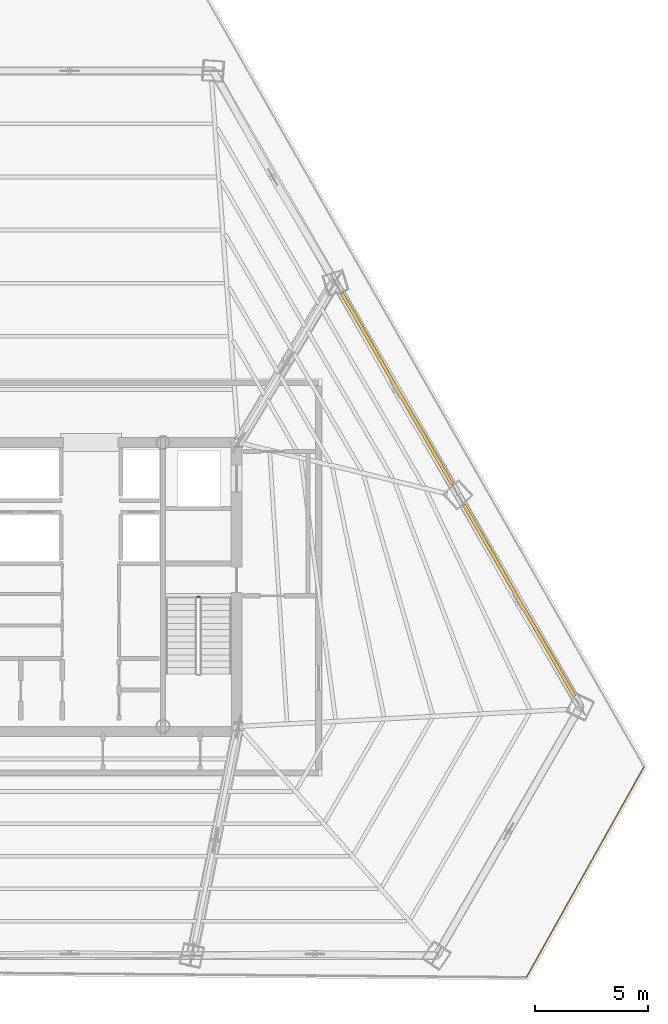
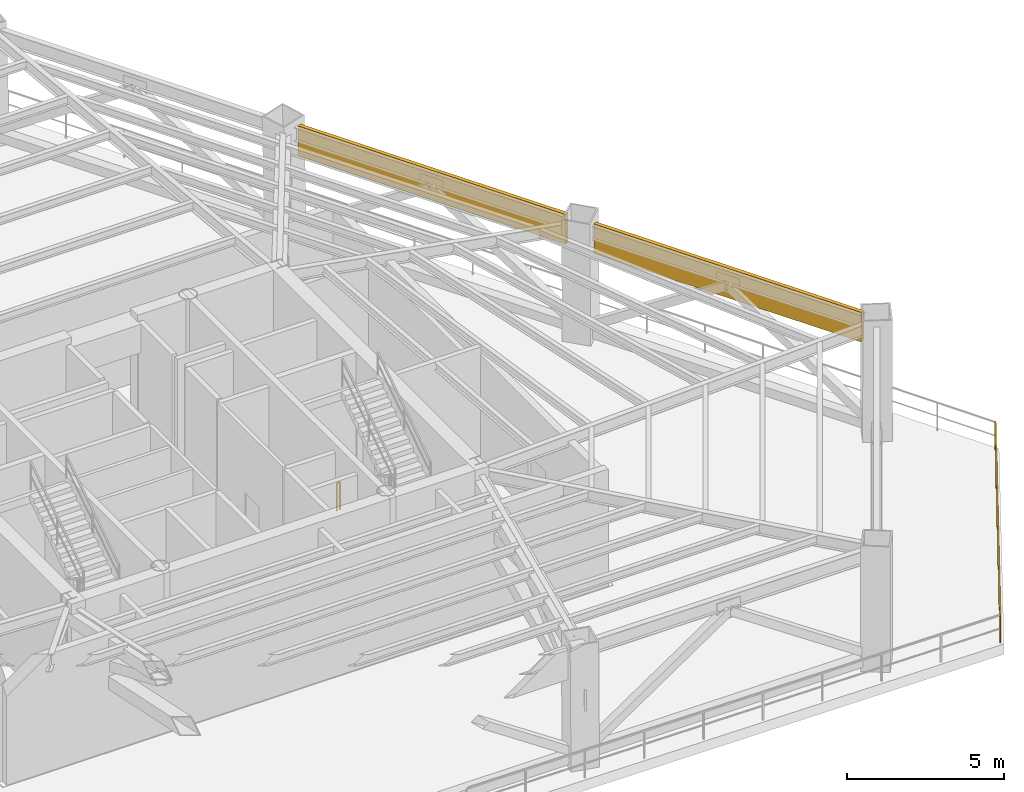
# One storey, part 11 of 12: 2 railings, 2 shading devices.
"""IFC4 building model written with IfcOpenShell, lengths in metres."""

from ifc_helpers import new_model, si_unit, direction, frame, origin, origin_2d, place, context, subcontext, project, spatial, rectangle, extrude, source, transform, mapped, material, layer, layer_set, type_object, type_shapes, element, save


model = new_model("IFC4")

# Units and contexts
model_context = context("Model", 3, precision=1e-05, world=origin(), true_north=direction((0.0, 1.0)))
body_context = subcontext(model_context, "Body", "Model", "MODEL_VIEW")
ifc_project = project(units=[si_unit("LENGTHUNIT", "METRE"), si_unit("AREAUNIT", "SQUARE_METRE"), si_unit("VOLUMEUNIT", "CUBIC_METRE"), si_unit("PLANEANGLEUNIT", "RADIAN"), si_unit("MASSUNIT", "GRAM", prefix="KILO")], contexts=[model_context])

# Site, building, storey
site_placement = place(None, origin())
site = spatial("IfcSite", under=ifc_project, at=site_placement, CompositionType="ELEMENT")
building_placement = place(site_placement, origin())
building = spatial("IfcBuilding", under=site, at=building_placement, Name="Caelisora Broadcast Tower", CompositionType="ELEMENT")
storey_placement = place(building_placement, frame((0.0, 0.0, 150.050048828125)))
storey = spatial("IfcBuildingStorey", under=building, at=storey_placement, Name="L39", CompositionType="ELEMENT", Elevation=150.050048828125)

# Railings
ifc_material_1 = material(Name="Laminated Glass and Stainless Steel Terrace Balustrade", Category="steel")
ifc_layer_1 = layer(ifc_material_1, 0.048095703125, Name="Laminated Glass and Stainless Steel Terrace Balustrade")
ifc_layer_set_1 = layer_set([ifc_layer_1], Name="Laminated Glass and Stainless Steel Terrace Balustrade")
railing_type_1 = type_object("IfcRailingType", Name="BL-1", PredefinedType="BALUSTRADE", material=ifc_layer_set_1)
railing_1_placement = place(storey_placement, frame((63.491943359375, 15.60888671875, 0.0)))
element("IfcRailing", 1, at=railing_1_placement, inside=storey, type_object=railing_type_1, Name="L39 balustrade BL-1 #02", PredefinedType="BALUSTRADE", context=body_context, shape_type="SweptSolid", body=[
    extrude(rectangle(XDim=0.048095703125, YDim=0.048095703125, at=origin_2d()), frame((0.0, 0.0, 1.076171875), z_axis=(-0.487657608222, -0.873034969027, 0.0), x_axis=(0.873034969027, -0.487657608222, 0.0)), (0.0, 0.0, 1.0), 10.693603515625),
    extrude(rectangle(XDim=0.03125, YDim=0.03125, at=origin_2d()), frame((0.0, 0.0, 0.550048828125), z_axis=(-0.487657608222, -0.873034969027, 0.0), x_axis=(0.873034969027, -0.487657608222, 0.0)), (0.0, 0.0, 1.0), 10.693603515625),
    extrude(rectangle(XDim=0.0419921875, YDim=0.0419921875, at=origin_2d()), origin(), (0.0, 0.0, 1.0), 1.052001953125),
    extrude(rectangle(XDim=0.0419921875, YDim=0.0419921875, at=origin_2d()), frame((-1.04296875, -1.8671875, 0.0)), (0.0, 0.0, 1.0), 1.052001953125),
    extrude(rectangle(XDim=0.0419921875, YDim=0.0419921875, at=origin_2d()), frame((-2.0859375, -3.734375, 0.0)), (0.0, 0.0, 1.0), 1.052001953125),
    extrude(rectangle(XDim=0.0419921875, YDim=0.0419921875, at=origin_2d()), frame((-3.12890625, -5.6015625, 0.0)), (0.0, 0.0, 1.0), 1.052001953125),
    extrude(rectangle(XDim=0.0419921875, YDim=0.0419921875, at=origin_2d()), frame((-4.171875, -7.46875, 0.0)), (0.0, 0.0, 1.0), 1.052001953125),
    extrude(rectangle(XDim=0.0419921875, YDim=0.0419921875, at=origin_2d()), frame((-5.21484375, -9.3359375, 0.0)), (0.0, 0.0, 1.0), 1.052001953125),
])
ifc_material_2 = material(Name="Galvanised Steel Safety Guardrail", Category="steel")
ifc_layer_2 = layer(ifc_material_2, 0.048095703125, Name="Galvanised Steel Safety Guardrail")
ifc_layer_set_2 = layer_set([ifc_layer_2], Name="Galvanised Steel Safety Guardrail")
railing_type_2 = type_object("IfcRailingType", Name="GR-1", PredefinedType="GUARDRAIL", material=ifc_layer_set_2)
railing_2_placement = place(storey_placement, frame((43.659912109375, 23.14990234375, 0.0)))
element("IfcRailing", 2, at=railing_2_placement, inside=storey, type_object=railing_type_2, Name="L39 ST-2 stair guard 4", PredefinedType="GUARDRAIL", context=body_context, shape_type="SweptSolid", body=[
    extrude(rectangle(XDim=0.048095703125, YDim=0.048095703125, at=origin_2d()), frame((0.0, 0.0, 1.076171875), z_axis=(1.0, 0.0, 0.0), x_axis=(0.0, 1.0, 0.0)), (0.0, 0.0, 1.0), 0.1201171875),
    extrude(rectangle(XDim=0.03125, YDim=0.03125, at=origin_2d()), frame((0.0, 0.0, 0.550048828125), z_axis=(1.0, 0.0, 0.0), x_axis=(0.0, 1.0, 0.0)), (0.0, 0.0, 1.0), 0.1201171875),
    extrude(rectangle(XDim=0.0419921875, YDim=0.0419921875, at=origin_2d()), origin(), (0.0, 0.0, 1.0), 1.052001953125),
    extrude(rectangle(XDim=0.0419921875, YDim=0.0419921875, at=origin_2d()), frame((0.1201171875, 0.0, 0.0)), (0.0, 0.0, 1.0), 1.052001953125),
])

# Shading devices
ifc_material_3 = material(Name="Anodised Terracotta Aluminium Acoustic Louvre", Category="aluminium")
ifc_layer_3 = layer(ifc_material_3, 0.139892578125, Name="Anodised Terracotta Aluminium Acoustic Louvre")
ifc_layer_set_3 = layer_set([ifc_layer_3], Name="Anodised Terracotta Aluminium Acoustic Louvre")
shading_device_type = type_object("IfcShadingDeviceType", Name="LV-1", PredefinedType="JALOUSIE", material=ifc_layer_set_3)
shared_shape_1 = source(origin(), body_context, "Body", "SweptSolid", [
    extrude(rectangle(XDim=9.82421875, YDim=0.139892578125, at=origin_2d()), origin(), (0.0, 0.0, 1.0), 1.14990234375),
])
shading_device_1_placement = place(storey_placement, frame((57.954345703125, 22.987060546875, 3.409912109375), z_axis=(0.0, 0.0, 1.0), x_axis=(-0.5, 0.866025403784, 0.0)))
element("IfcShadingDevice", 3, at=shading_device_1_placement, inside=storey, type_object=shading_device_type, Name="L39 refuge wind-baffle louvre #9", PredefinedType="JALOUSIE", context=body_context, shape_type="MappedRepresentation", body=[
    mapped(shared_shape_1, transform((0.0, 0.0, 0.0), scale=1.0)),
])
shared_shape_2 = source(origin(), body_context, "Body", "SweptSolid", [
    extrude(rectangle(XDim=9.824462890625, YDim=0.139892578125, at=origin_2d()), origin(), (0.0, 0.0, 1.0), 1.14990234375),
])
type_shapes(shading_device_type, [shared_shape_1, shared_shape_2])
shading_device_2_placement = place(storey_placement, frame((52.527099609375, 32.38720703125, 3.409912109375), z_axis=(0.0, 0.0, 1.0), x_axis=(-0.5, 0.866025403784, 0.0)))
element("IfcShadingDevice", 4, at=shading_device_2_placement, inside=storey, type_object=shading_device_type, Name="L39 refuge wind-baffle louvre #10", PredefinedType="JALOUSIE", context=body_context, shape_type="MappedRepresentation", body=[
    mapped(shared_shape_2, transform((0.0, 0.0, 0.0), scale=1.0)),
])

save(model, "model.ifc")
